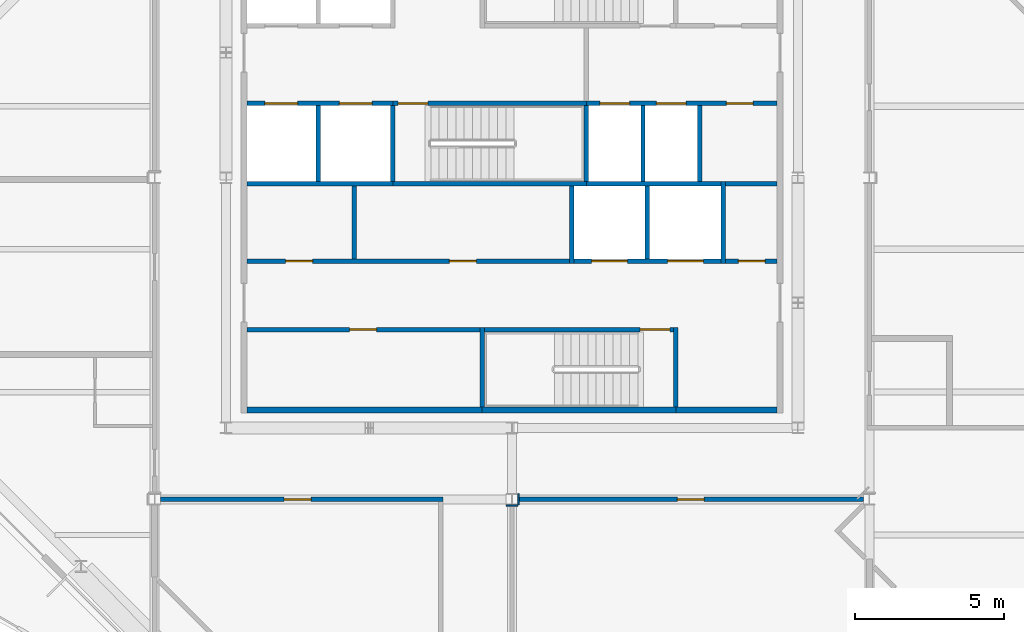
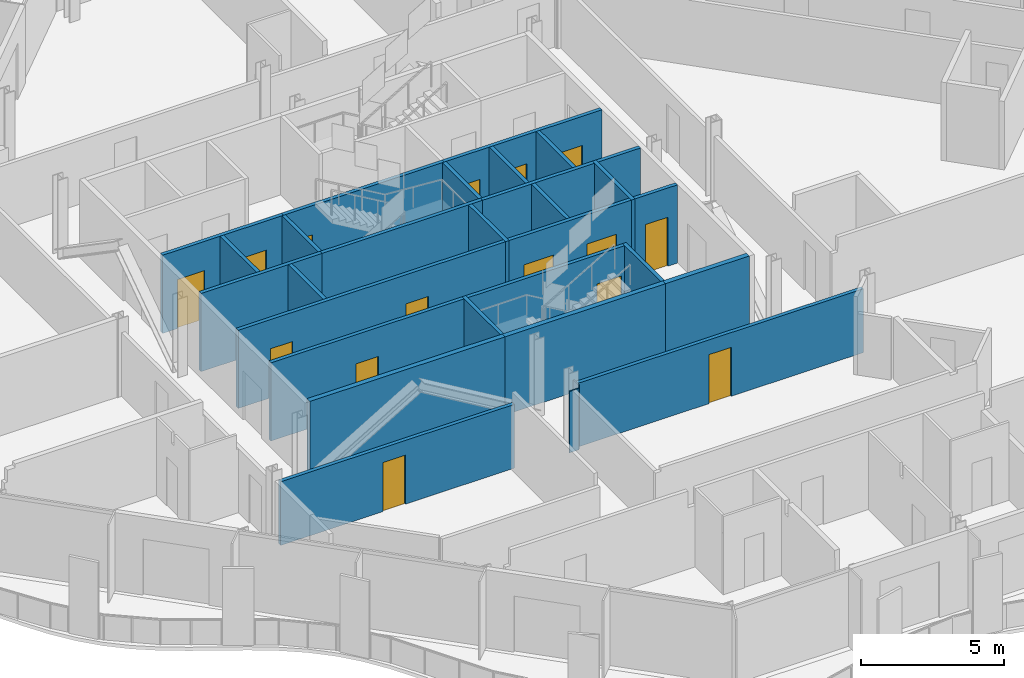
# One storey, part 8 of 17: 30 walls, 15 doors, 15 openings.
"""IFC4 building model written with IfcOpenShell, lengths in metres."""

from ifc_helpers import new_model, si_unit, direction, frame, frame_2d, origin, place, context, subcontext, project, spatial, rectangle, extrude, material, layer, layer_set, type_object, element, fill, save


model = new_model("IFC4")

# Units and contexts
model_context = context("Model", 3, precision=1e-05, world=origin(), true_north=direction((0.0, 1.0)))
body_context = subcontext(model_context, "Body", "Model", "MODEL_VIEW")
ifc_project = project(units=[si_unit("LENGTHUNIT", "METRE"), si_unit("AREAUNIT", "SQUARE_METRE"), si_unit("VOLUMEUNIT", "CUBIC_METRE"), si_unit("PLANEANGLEUNIT", "RADIAN"), si_unit("MASSUNIT", "GRAM", prefix="KILO")], contexts=[model_context])

# Site, building, storey
site_placement = place(None, origin())
site = spatial("IfcSite", under=ifc_project, at=site_placement, CompositionType="ELEMENT")
building_placement = place(site_placement, origin())
building = spatial("IfcBuilding", under=site, at=building_placement, Name="Cairn Pilgrim Tower", CompositionType="ELEMENT")
storey_placement = place(building_placement, frame((0.0, 0.0, 257.39990234375)))
storey = spatial("IfcBuildingStorey", under=building, at=storey_placement, Name="L66", CompositionType="ELEMENT", Elevation=257.39990234375)

# Walls
ifc_material_1 = material(Name="Concrete C32/40", Category="concrete")
ifc_layer_1 = layer(ifc_material_1, 0.199951171875)
ifc_layer_set_1 = layer_set([ifc_layer_1], Name="CORE OUTER WALL 200 EI 120")
wall_type_1 = type_object("IfcWallType", Name="CORE OUTER WALL 200 EI 120", PredefinedType="SOLIDWALL", material=ifc_layer_set_1)
wall_1_placement = place(storey_placement, frame((-1.699951171875, -5.39990234375, 0.0), z_axis=(0.0, 0.0, 1.0), x_axis=(1.0, 0.0, 0.0)))
element("IfcWall", 1, at=wall_1_placement, inside=storey, type_object=wall_type_1, Name="CW:L66:H01-1", PredefinedType="SOLIDWALL", context=body_context, shape_type="SweptSolid", body=[
    extrude(rectangle(XDim=7.89990234375, YDim=0.199951171875, at=frame_2d((3.949951171875, 0.0))), origin(), (0.0, 0.0, 1.0), 3.35009765625),
])
wall_2_placement = place(storey_placement, frame((12.699951171875, -5.39990234375, 0.0), z_axis=(0.0, 0.0, 1.0), x_axis=(1.0, 0.0, 0.0)))
element("IfcWall", 2, at=wall_2_placement, inside=storey, type_object=wall_type_1, Name="CW:L66:H01-3", PredefinedType="SOLIDWALL", context=body_context, shape_type="SweptSolid", body=[
    extrude(rectangle(XDim=3.400146484375, YDim=0.199951171875, at=frame_2d((1.7001953125, 0.0))), origin(), (0.0, 0.0, 1.0), 3.35009765625),
])

# Wall, opening, door
ifc_layer_2 = layer(ifc_material_1, 0.14990234375)
ifc_layer_set_2 = layer_set([ifc_layer_2], Name="CORE PARTITION 150 EI 60")
wall_type_2 = type_object("IfcWallType", Name="CORE PARTITION 150 EI 60", PredefinedType="PARTITIONING", material=ifc_layer_set_2)
wall_3_placement = place(storey_placement, frame((-1.699951171875, -2.699951171875, 0.0), z_axis=(0.0, 0.0, 1.0), x_axis=(1.0, 0.0, 0.0)))
wall_3 = element("IfcWall", 3, at=wall_3_placement, inside=storey, type_object=wall_type_2, Name="CW:L66:H02", PredefinedType="PARTITIONING", context=body_context, shape_type="SweptSolid", body=[
    extrude(rectangle(XDim=7.824951171875, YDim=0.14990234375, at=frame_2d((3.91259765625, 0.0))), origin(), (0.0, 0.0, 1.0), 3.35009765625),
])
opening_1_placement = place(wall_3_placement, frame((3.449951171875, 0.0, 0.0)))
opening_1 = element("IfcOpeningElement", 4, at=opening_1_placement, cuts=wall_3, Name="Opening RD-R1W1", PredefinedType="OPENING", context=body_context, shape_type="SweptSolid", body=[
    extrude(rectangle(XDim=0.89990234375, YDim=2.10009765625, at=frame_2d((0.449951171875, 1.050048828125))), frame((0.0, 0.0849609375, 0.0), z_axis=(0.0, -1.0, 0.0), x_axis=(1.0, 0.0, 0.0)), (0.0, 0.0, 1.0), 0.169921875),
])
ifc_material_2 = material(Name="Painted steel", Category="steel")
door_type_1 = type_object("IfcDoorType", Name="SERVICE ROOM DOOR 900x2100", OperationType="SINGLE_SWING_LEFT", PredefinedType="DOOR", material=ifc_material_2)
door_1_placement = place(opening_1_placement, origin())
door_1 = element("IfcDoor", 5, at=door_1_placement, inside=storey, type_object=door_type_1, Name="RD-R1W1", OperationType="SINGLE_SWING_LEFT", OverallHeight=2.10009765625, OverallWidth=0.89990234375, PredefinedType="DOOR", context=body_context, shape_type="SweptSolid", body=[
    extrude(rectangle(XDim=0.89990234375, YDim=2.10009765625, at=frame_2d((0.449951171875, 1.050048828125))), frame((0.0, 0.02490234375, 0.0), z_axis=(0.0, -1.0, 0.0), x_axis=(1.0, 0.0, 0.0)), (0.0, 0.0, 1.0), 0.050048828125),
])
fill(opening_1, door_1)

# Wall, openings, doors
wall_4_placement = place(storey_placement, frame((-1.699951171875, -0.39990234375, 0.0), z_axis=(0.0, 0.0, 1.0), x_axis=(1.0, 0.0, 0.0)))
wall_4 = element("IfcWall", 6, at=wall_4_placement, inside=storey, type_object=wall_type_2, Name="CW:L66:H04", PredefinedType="PARTITIONING", context=body_context, shape_type="SweptSolid", body=[
    extrude(rectangle(XDim=10.824951171875, YDim=0.14990234375, at=frame_2d((5.41259765625, 0.0))), origin(), (0.0, 0.0, 1.0), 3.35009765625),
])
opening_2_placement = place(wall_4_placement, frame((1.300048828125, 0.0, 0.0)))
opening_2 = element("IfcOpeningElement", 7, at=opening_2_placement, cuts=wall_4, Name="Opening RD-R2W1", PredefinedType="OPENING", context=body_context, shape_type="SweptSolid", body=[
    extrude(rectangle(XDim=0.89990234375, YDim=2.10009765625, at=frame_2d((0.449951171875, 1.050048828125))), frame((0.0, 0.0849609375, 0.0), z_axis=(0.0, -1.0, 0.0), x_axis=(1.0, 0.0, 0.0)), (0.0, 0.0, 1.0), 0.169921875),
])
opening_3_placement = place(wall_4_placement, frame((6.800048828125, 0.0, 0.0)))
opening_3 = element("IfcOpeningElement", 8, at=opening_3_placement, cuts=wall_4, Name="Opening RD-R2W2", PredefinedType="OPENING", context=body_context, shape_type="SweptSolid", body=[
    extrude(rectangle(XDim=0.89990234375, YDim=2.10009765625, at=frame_2d((0.449951171875, 1.050048828125))), frame((0.0, 0.0849609375, 0.0), z_axis=(0.0, -1.0, 0.0), x_axis=(1.0, 0.0, 0.0)), (0.0, 0.0, 1.0), 0.169921875),
])
door_2_placement = place(opening_2_placement, origin())
door_2 = element("IfcDoor", 9, at=door_2_placement, inside=storey, type_object=door_type_1, Name="RD-R2W1", OperationType="SINGLE_SWING_RIGHT", OverallHeight=2.10009765625, OverallWidth=0.89990234375, PredefinedType="DOOR", context=body_context, shape_type="SweptSolid", body=[
    extrude(rectangle(XDim=0.89990234375, YDim=2.10009765625, at=frame_2d((0.449951171875, 1.050048828125))), frame((0.0, 0.02490234375, 0.0), z_axis=(0.0, -1.0, 0.0), x_axis=(1.0, 0.0, 0.0)), (0.0, 0.0, 1.0), 0.050048828125),
])
fill(opening_2, door_2)
door_3_placement = place(opening_3_placement, origin())
door_3 = element("IfcDoor", 10, at=door_3_placement, inside=storey, type_object=door_type_1, Name="RD-R2W2", OperationType="SINGLE_SWING_LEFT", OverallHeight=2.10009765625, OverallWidth=0.89990234375, PredefinedType="DOOR", context=body_context, shape_type="SweptSolid", body=[
    extrude(rectangle(XDim=0.89990234375, YDim=2.10009765625, at=frame_2d((0.449951171875, 1.050048828125))), frame((0.0, 0.02490234375, 0.0), z_axis=(0.0, -1.0, 0.0), x_axis=(1.0, 0.0, 0.0)), (0.0, 0.0, 1.0), 0.050048828125),
])
fill(opening_3, door_3)

# Wall, opening, door
wall_5_placement = place(storey_placement, frame((14.375, -0.39990234375, 0.0), z_axis=(0.0, 0.0, 1.0), x_axis=(1.0, 0.0, 0.0)))
wall_5 = element("IfcWall", 11, at=wall_5_placement, inside=storey, type_object=wall_type_2, Name="CW:L66:H06", PredefinedType="PARTITIONING", context=body_context, shape_type="SweptSolid", body=[
    extrude(rectangle(XDim=1.72509765625, YDim=0.14990234375, at=frame_2d((0.862548828125, 0.0))), origin(), (0.0, 0.0, 1.0), 3.35009765625),
])
opening_4_placement = place(wall_5_placement, frame((0.425048828125, 0.0, 0.0)))
opening_4 = element("IfcOpeningElement", 12, at=opening_4_placement, cuts=wall_5, Name="Opening RD-R2E", PredefinedType="OPENING", context=body_context, shape_type="SweptSolid", body=[
    extrude(rectangle(XDim=0.89990234375, YDim=2.10009765625, at=frame_2d((0.449951171875, 1.050048828125))), frame((0.0, 0.0849609375, 0.0), z_axis=(0.0, -1.0, 0.0), x_axis=(1.0, 0.0, 0.0)), (0.0, 0.0, 1.0), 0.169921875),
])
door_4_placement = place(opening_4_placement, origin())
door_4 = element("IfcDoor", 13, at=door_4_placement, inside=storey, type_object=door_type_1, Name="RD-R2E", OperationType="SINGLE_SWING_RIGHT", OverallHeight=2.10009765625, OverallWidth=0.89990234375, PredefinedType="DOOR", context=body_context, shape_type="SweptSolid", body=[
    extrude(rectangle(XDim=0.89990234375, YDim=2.10009765625, at=frame_2d((0.449951171875, 1.050048828125))), frame((0.0, 0.02490234375, 0.0), z_axis=(0.0, -1.0, 0.0), x_axis=(1.0, 0.0, 0.0)), (0.0, 0.0, 1.0), 0.050048828125),
])
fill(opening_4, door_4)

# Walls
wall_6_placement = place(storey_placement, frame((14.375, 2.199951171875, 0.0), z_axis=(0.0, 0.0, 1.0), x_axis=(1.0, 0.0, 0.0)))
element("IfcWall", 14, at=wall_6_placement, inside=storey, type_object=wall_type_2, Name="CW:L66:H08", PredefinedType="PARTITIONING", context=body_context, shape_type="SweptSolid", body=[
    extrude(rectangle(XDim=1.72509765625, YDim=0.14990234375, at=frame_2d((0.862548828125, 0.0))), origin(), (0.0, 0.0, 1.0), 3.35009765625),
])
wall_7_placement = place(storey_placement, frame((1.89990234375, -0.324951171875, 0.0), z_axis=(0.0, 0.0, 1.0), x_axis=(0.0, 1.0, 0.0)))
element("IfcWall", 15, at=wall_7_placement, inside=storey, type_object=wall_type_2, Name="CW:L66:V16", PredefinedType="PARTITIONING", context=body_context, shape_type="SweptSolid", body=[
    extrude(rectangle(XDim=2.449951171875, YDim=0.14990234375, at=frame_2d((1.22509765625, 0.0))), origin(), (0.0, 0.0, 1.0), 3.35009765625),
])

# Wall, openings, doors
ifc_layer_3 = layer(ifc_material_1, 0.14990234375)
ifc_layer_set_3 = layer_set([ifc_layer_3], Name="CORE SHAFT WALL 150 EI 120")
wall_type_3 = type_object("IfcWallType", Name="CORE SHAFT WALL 150 EI 120", PredefinedType="SOLIDWALL", material=ifc_layer_set_3)
wall_8_placement = place(storey_placement, frame((9.27490234375, -0.39990234375, 0.0), z_axis=(0.0, 0.0, 1.0), x_axis=(1.0, 0.0, 0.0)))
wall_8 = element("IfcWall", 16, at=wall_8_placement, inside=storey, type_object=wall_type_3, Name="CW:L66:H05", PredefinedType="SOLIDWALL", context=body_context, shape_type="SweptSolid", body=[
    extrude(rectangle(XDim=4.9501953125, YDim=0.14990234375, at=frame_2d((2.47509765625, 0.0))), origin(), (0.0, 0.0, 1.0), 3.35009765625),
])
opening_5_placement = place(wall_8_placement, frame((0.60009765625, 0.0, 0.0)))
opening_5 = element("IfcOpeningElement", 17, at=opening_5_placement, cuts=wall_8, Name="Opening LD-SV1", PredefinedType="OPENING", context=body_context, shape_type="SweptSolid", body=[
    extrude(rectangle(XDim=1.199951171875, YDim=2.10009765625, at=frame_2d((0.60009765625, 1.050048828125))), frame((0.0, 0.0849609375, 0.0), z_axis=(0.0, -1.0, 0.0), x_axis=(1.0, 0.0, 0.0)), (0.0, 0.0, 1.0), 0.169921875),
])
opening_6_placement = place(wall_8_placement, frame((3.14990234375, 0.0, 0.0)))
opening_6 = element("IfcOpeningElement", 18, at=opening_6_placement, cuts=wall_8, Name="Opening LD-SV2", PredefinedType="OPENING", context=body_context, shape_type="SweptSolid", body=[
    extrude(rectangle(XDim=1.199951171875, YDim=2.10009765625, at=frame_2d((0.60009765625, 1.050048828125))), frame((0.0, 0.0849609375, 0.0), z_axis=(0.0, -1.0, 0.0), x_axis=(1.0, 0.0, 0.0)), (0.0, 0.0, 1.0), 0.169921875),
])
ifc_material_3 = material(Name="Stainless steel", Category="steel")
door_type_2 = type_object("IfcDoorType", Name="LIFT LANDING DOOR 1200x2100", OperationType="DOUBLE_DOOR_SLIDING", PredefinedType="DOOR", material=ifc_material_3)
door_5_placement = place(opening_5_placement, origin())
door_5 = element("IfcDoor", 19, at=door_5_placement, inside=storey, type_object=door_type_2, Name="LANDING DOOR SV1", OperationType="DOUBLE_DOOR_SLIDING", OverallHeight=2.10009765625, OverallWidth=1.199951171875, PredefinedType="DOOR", context=body_context, shape_type="SweptSolid", body=[
    extrude(rectangle(XDim=1.199951171875, YDim=2.10009765625, at=frame_2d((0.60009765625, 1.050048828125))), frame((0.0, 0.02490234375, 0.0), z_axis=(0.0, -1.0, 0.0), x_axis=(1.0, 0.0, 0.0)), (0.0, 0.0, 1.0), 0.050048828125),
])
fill(opening_5, door_5)
door_6_placement = place(opening_6_placement, origin())
door_6 = element("IfcDoor", 20, at=door_6_placement, inside=storey, type_object=door_type_2, Name="LANDING DOOR SV2", OperationType="DOUBLE_DOOR_SLIDING", OverallHeight=2.10009765625, OverallWidth=1.199951171875, PredefinedType="DOOR", context=body_context, shape_type="SweptSolid", body=[
    extrude(rectangle(XDim=1.199951171875, YDim=2.10009765625, at=frame_2d((0.60009765625, 1.050048828125))), frame((0.0, 0.02490234375, 0.0), z_axis=(0.0, -1.0, 0.0), x_axis=(1.0, 0.0, 0.0)), (0.0, 0.0, 1.0), 0.050048828125),
])
fill(opening_6, door_6)

# Walls
wall_9_placement = place(storey_placement, frame((-1.699951171875, 2.199951171875, 0.0), z_axis=(0.0, 0.0, 1.0), x_axis=(1.0, 0.0, 0.0)))
element("IfcWall", 21, at=wall_9_placement, inside=storey, type_object=wall_type_3, Name="CW:L66:H07-1", PredefinedType="SOLIDWALL", context=body_context, shape_type="SweptSolid", body=[
    extrude(rectangle(XDim=4.89990234375, YDim=0.14990234375, at=frame_2d((2.449951171875, 0.0))), origin(), (0.0, 0.0, 1.0), 3.35009765625),
])
wall_10_placement = place(storey_placement, frame((9.699951171875, 2.199951171875, 0.0), z_axis=(0.0, 0.0, 1.0), x_axis=(1.0, 0.0, 0.0)))
element("IfcWall", 22, at=wall_10_placement, inside=storey, type_object=wall_type_3, Name="CW:L66:H07-3", PredefinedType="SOLIDWALL", context=body_context, shape_type="SweptSolid", body=[
    extrude(rectangle(XDim=4.525146484375, YDim=0.14990234375, at=frame_2d((2.2626953125, 0.0))), origin(), (0.0, 0.0, 1.0), 3.35009765625),
])

# Wall, openings, doors
wall_11_placement = place(storey_placement, frame((-1.699951171875, 4.89990234375, 0.0), z_axis=(0.0, 0.0, 1.0), x_axis=(1.0, 0.0, 0.0)))
wall_11 = element("IfcWall", 23, at=wall_11_placement, inside=storey, type_object=wall_type_3, Name="CW:L66:H09-1", PredefinedType="SOLIDWALL", context=body_context, shape_type="SweptSolid", body=[
    extrude(rectangle(XDim=4.89990234375, YDim=0.14990234375, at=frame_2d((2.449951171875, 0.0))), origin(), (0.0, 0.0, 1.0), 3.35009765625),
])
opening_7_placement = place(wall_11_placement, frame((0.60009765625, 0.0, 0.0)))
opening_7 = element("IfcOpeningElement", 24, at=opening_7_placement, cuts=wall_11, Name="Opening LD-HR1", PredefinedType="OPENING", context=body_context, shape_type="SweptSolid", body=[
    extrude(rectangle(XDim=1.10009765625, YDim=2.10009765625, at=frame_2d((0.550048828125, 1.050048828125))), frame((0.0, 0.0849609375, 0.0), z_axis=(0.0, -1.0, 0.0), x_axis=(1.0, 0.0, 0.0)), (0.0, 0.0, 1.0), 0.169921875),
])
opening_8_placement = place(wall_11_placement, frame((3.10009765625, 0.0, 0.0)))
opening_8 = element("IfcOpeningElement", 25, at=opening_8_placement, cuts=wall_11, Name="Opening LD-HR2", PredefinedType="OPENING", context=body_context, shape_type="SweptSolid", body=[
    extrude(rectangle(XDim=1.10009765625, YDim=2.10009765625, at=frame_2d((0.550048828125, 1.050048828125))), frame((0.0, 0.0849609375, 0.0), z_axis=(0.0, -1.0, 0.0), x_axis=(1.0, 0.0, 0.0)), (0.0, 0.0, 1.0), 0.169921875),
])
door_type_3 = type_object("IfcDoorType", Name="LIFT LANDING DOOR 1100x2100", OperationType="DOUBLE_DOOR_SLIDING", PredefinedType="DOOR", material=ifc_material_3)
door_7_placement = place(opening_7_placement, origin())
door_7 = element("IfcDoor", 26, at=door_7_placement, inside=storey, type_object=door_type_3, Name="LANDING DOOR HR1", OperationType="DOUBLE_DOOR_SLIDING", OverallHeight=2.10009765625, OverallWidth=1.10009765625, PredefinedType="DOOR", context=body_context, shape_type="SweptSolid", body=[
    extrude(rectangle(XDim=1.10009765625, YDim=2.10009765625, at=frame_2d((0.550048828125, 1.050048828125))), frame((0.0, 0.02490234375, 0.0), z_axis=(0.0, -1.0, 0.0), x_axis=(1.0, 0.0, 0.0)), (0.0, 0.0, 1.0), 0.050048828125),
])
fill(opening_7, door_7)
door_8_placement = place(opening_8_placement, origin())
door_8 = element("IfcDoor", 27, at=door_8_placement, inside=storey, type_object=door_type_3, Name="LANDING DOOR HR2", OperationType="DOUBLE_DOOR_SLIDING", OverallHeight=2.10009765625, OverallWidth=1.10009765625, PredefinedType="DOOR", context=body_context, shape_type="SweptSolid", body=[
    extrude(rectangle(XDim=1.10009765625, YDim=2.10009765625, at=frame_2d((0.550048828125, 1.050048828125))), frame((0.0, 0.02490234375, 0.0), z_axis=(0.0, -1.0, 0.0), x_axis=(1.0, 0.0, 0.0)), (0.0, 0.0, 1.0), 0.050048828125),
])
fill(opening_8, door_8)

wall_12_placement = place(storey_placement, frame((9.699951171875, 4.89990234375, 0.0), z_axis=(0.0, 0.0, 1.0), x_axis=(1.0, 0.0, 0.0)))
wall_12 = element("IfcWall", 28, at=wall_12_placement, inside=storey, type_object=wall_type_3, Name="CW:L66:H09-3", PredefinedType="SOLIDWALL", context=body_context, shape_type="SweptSolid", body=[
    extrude(rectangle(XDim=6.400146484375, YDim=0.14990234375, at=frame_2d((3.2001953125, 0.0))), origin(), (0.0, 0.0, 1.0), 3.35009765625),
])
opening_9_placement = place(wall_12_placement, frame((0.449951171875, 0.0, 0.0)))
opening_9 = element("IfcOpeningElement", 29, at=opening_9_placement, cuts=wall_12, Name="Opening LD-FF1", PredefinedType="OPENING", context=body_context, shape_type="SweptSolid", body=[
    extrude(rectangle(XDim=1.0, YDim=2.10009765625, at=frame_2d((0.5, 1.050048828125))), frame((0.0, 0.0849609375, 0.0), z_axis=(0.0, -1.0, 0.0), x_axis=(1.0, 0.0, 0.0)), (0.0, 0.0, 1.0), 0.169921875),
])
opening_10_placement = place(wall_12_placement, frame((2.35009765625, 0.0, 0.0)))
opening_10 = element("IfcOpeningElement", 30, at=opening_10_placement, cuts=wall_12, Name="Opening LD-FF2", PredefinedType="OPENING", context=body_context, shape_type="SweptSolid", body=[
    extrude(rectangle(XDim=1.0, YDim=2.10009765625, at=frame_2d((0.5, 1.050048828125))), frame((0.0, 0.0849609375, 0.0), z_axis=(0.0, -1.0, 0.0), x_axis=(1.0, 0.0, 0.0)), (0.0, 0.0, 1.0), 0.169921875),
])
opening_11_placement = place(wall_12_placement, frame((4.699951171875, 0.0, 0.0)))
opening_11 = element("IfcOpeningElement", 31, at=opening_11_placement, cuts=wall_12, Name="Opening RD-R3E", PredefinedType="OPENING", context=body_context, shape_type="SweptSolid", body=[
    extrude(rectangle(XDim=0.89990234375, YDim=2.10009765625, at=frame_2d((0.449951171875, 1.050048828125))), frame((0.0, 0.0849609375, 0.0), z_axis=(0.0, -1.0, 0.0), x_axis=(1.0, 0.0, 0.0)), (0.0, 0.0, 1.0), 0.169921875),
])
door_type_4 = type_object("IfcDoorType", Name="LIFT LANDING DOOR FIRE 1000x2100", OperationType="DOUBLE_DOOR_SLIDING", PredefinedType="DOOR", material=ifc_material_3)
door_9_placement = place(opening_9_placement, origin())
door_9 = element("IfcDoor", 32, at=door_9_placement, inside=storey, type_object=door_type_4, Name="LANDING DOOR FF1", OperationType="DOUBLE_DOOR_SLIDING", OverallHeight=2.10009765625, OverallWidth=1.0, PredefinedType="DOOR", context=body_context, shape_type="SweptSolid", body=[
    extrude(rectangle(XDim=1.0, YDim=2.10009765625, at=frame_2d((0.5, 1.050048828125))), frame((0.0, 0.02490234375, 0.0), z_axis=(0.0, -1.0, 0.0), x_axis=(1.0, 0.0, 0.0)), (0.0, 0.0, 1.0), 0.050048828125),
])
fill(opening_9, door_9)
door_10_placement = place(opening_10_placement, origin())
door_10 = element("IfcDoor", 33, at=door_10_placement, inside=storey, type_object=door_type_4, Name="LANDING DOOR FF2", OperationType="DOUBLE_DOOR_SLIDING", OverallHeight=2.10009765625, OverallWidth=1.0, PredefinedType="DOOR", context=body_context, shape_type="SweptSolid", body=[
    extrude(rectangle(XDim=1.0, YDim=2.10009765625, at=frame_2d((0.5, 1.050048828125))), frame((0.0, 0.02490234375, 0.0), z_axis=(0.0, -1.0, 0.0), x_axis=(1.0, 0.0, 0.0)), (0.0, 0.0, 1.0), 0.050048828125),
])
fill(opening_10, door_10)
door_11_placement = place(opening_11_placement, origin())
door_11 = element("IfcDoor", 34, at=door_11_placement, inside=storey, type_object=door_type_1, Name="RD-R3E", OperationType="SINGLE_SWING_LEFT", OverallHeight=2.10009765625, OverallWidth=0.89990234375, PredefinedType="DOOR", context=body_context, shape_type="SweptSolid", body=[
    extrude(rectangle(XDim=0.89990234375, YDim=2.10009765625, at=frame_2d((0.449951171875, 1.050048828125))), frame((0.0, 0.02490234375, 0.0), z_axis=(0.0, -1.0, 0.0), x_axis=(1.0, 0.0, 0.0)), (0.0, 0.0, 1.0), 0.050048828125),
])
fill(opening_11, door_11)

# Walls
wall_13_placement = place(storey_placement, frame((0.699951171875, 2.27490234375, 0.0), z_axis=(0.0, 0.0, 1.0), x_axis=(0.0, 1.0, 0.0)))
element("IfcWall", 35, at=wall_13_placement, inside=storey, type_object=wall_type_3, Name="CW:L66:V14", PredefinedType="SOLIDWALL", context=body_context, shape_type="SweptSolid", body=[
    extrude(rectangle(XDim=2.550048828125, YDim=0.14990234375, at=frame_2d((1.27490234375, 0.0))), origin(), (0.0, 0.0, 1.0), 3.35009765625),
])
wall_14_placement = place(storey_placement, frame((9.199951171875, -0.47509765625, 0.0), z_axis=(0.0, 0.0, 1.0), x_axis=(0.0, 1.0, 0.0)))
element("IfcWall", 36, at=wall_14_placement, inside=storey, type_object=wall_type_3, Name="CW:L66:V21", PredefinedType="SOLIDWALL", context=body_context, shape_type="SweptSolid", body=[
    extrude(rectangle(XDim=2.60009765625, YDim=0.14990234375, at=frame_2d((1.300048828125, 0.0))), origin(), (0.0, 0.0, 1.0), 3.35009765625),
])
wall_15_placement = place(storey_placement, frame((11.60009765625, 2.27490234375, 0.0), z_axis=(0.0, 0.0, 1.0), x_axis=(0.0, 1.0, 0.0)))
element("IfcWall", 37, at=wall_15_placement, inside=storey, type_object=wall_type_3, Name="CW:L66:V24", PredefinedType="SOLIDWALL", context=body_context, shape_type="SweptSolid", body=[
    extrude(rectangle(XDim=2.550048828125, YDim=0.14990234375, at=frame_2d((1.27490234375, 0.0))), origin(), (0.0, 0.0, 1.0), 3.35009765625),
])
wall_16_placement = place(storey_placement, frame((11.75, -0.324951171875, 0.0), z_axis=(0.0, 0.0, 1.0), x_axis=(0.0, 1.0, 0.0)))
element("IfcWall", 38, at=wall_16_placement, inside=storey, type_object=wall_type_3, Name="CW:L66:V25", PredefinedType="SOLIDWALL", context=body_context, shape_type="SweptSolid", body=[
    extrude(rectangle(XDim=2.449951171875, YDim=0.14990234375, at=frame_2d((1.22509765625, 0.0))), origin(), (0.0, 0.0, 1.0), 3.35009765625),
])
wall_17_placement = place(storey_placement, frame((13.5, 2.27490234375, 0.0), z_axis=(0.0, 0.0, 1.0), x_axis=(0.0, 1.0, 0.0)))
element("IfcWall", 39, at=wall_17_placement, inside=storey, type_object=wall_type_3, Name="CW:L66:V28", PredefinedType="SOLIDWALL", context=body_context, shape_type="SweptSolid", body=[
    extrude(rectangle(XDim=2.550048828125, YDim=0.14990234375, at=frame_2d((1.27490234375, 0.0))), origin(), (0.0, 0.0, 1.0), 3.35009765625),
])
wall_18_placement = place(storey_placement, frame((14.300048828125, -0.47509765625, 0.0), z_axis=(0.0, 0.0, 1.0), x_axis=(0.0, 1.0, 0.0)))
element("IfcWall", 40, at=wall_18_placement, inside=storey, type_object=wall_type_3, Name="CW:L66:V29", PredefinedType="SOLIDWALL", context=body_context, shape_type="SweptSolid", body=[
    extrude(rectangle(XDim=2.75, YDim=0.14990234375, at=frame_2d((1.375, 0.0))), origin(), (0.0, 0.0, 1.0), 3.35009765625),
])

# Wall, opening, door
ifc_material_4 = material(Name="Gypsum partition")
ifc_layer_4 = layer(ifc_material_4, 0.14990234375)
ifc_layer_set_4 = layer_set([ifc_layer_4], Name="PARTITION 150 DRYWALL EI 60")
wall_type_4 = type_object("IfcWallType", Name="PARTITION 150 DRYWALL EI 60", PredefinedType="PARTITIONING", material=ifc_layer_set_4)
wall_19_placement = place(storey_placement, frame((-4.60302734375, -8.39990234375, 0.0), z_axis=(0.0, 0.0, 1.0), x_axis=(1.0, 0.0, 0.0)))
wall_19 = element("IfcWall", 41, at=wall_19_placement, inside=storey, type_object=wall_type_4, Name="PARTITION W032", PredefinedType="PARTITIONING", context=body_context, shape_type="SweptSolid", body=[
    extrude(rectangle(XDim=9.47802734375, YDim=0.14990234375, at=frame_2d((4.739013671875, 0.0))), origin(), (0.0, 0.0, 1.0), 2.72998046875),
])
opening_12_placement = place(wall_19_placement, frame((4.153076171875, 0.0, 0.0)))
opening_12 = element("IfcOpeningElement", 42, at=opening_12_placement, cuts=wall_19, Name="Opening 6620", PredefinedType="OPENING", context=body_context, shape_type="SweptSolid", body=[
    extrude(rectangle(XDim=0.89990234375, YDim=2.10009765625, at=frame_2d((0.449951171875, 1.050048828125))), frame((0.0, 0.0849609375, 0.0), z_axis=(0.0, -1.0, 0.0), x_axis=(1.0, 0.0, 0.0)), (0.0, 0.0, 1.0), 0.169921875),
])
ifc_material_5 = material(Name="Timber door leaf", Category="wood")
door_type_5 = type_object("IfcDoorType", Name="SERVICE DOOR 900x2100 FD30S", OperationType="NOTDEFINED", PredefinedType="DOOR", material=ifc_material_5)
door_12_placement = place(opening_12_placement, frame((0.89990234375, 0.0, 0.0), z_axis=(0.0, 0.0, 1.0), x_axis=(-1.0, 0.0, 0.0)))
door_12 = element("IfcDoor", 43, at=door_12_placement, inside=storey, type_object=door_type_5, Name="DOOR 6620", OperationType="SINGLE_SWING_RIGHT", OverallHeight=2.10009765625, OverallWidth=0.89990234375, PredefinedType="DOOR", context=body_context, shape_type="SweptSolid", body=[
    extrude(rectangle(XDim=0.89990234375, YDim=2.10009765625, at=frame_2d((0.449951171875, 1.050048828125))), frame((0.0, 0.02490234375, 0.0), z_axis=(0.0, -1.0, 0.0), x_axis=(1.0, 0.0, 0.0)), (0.0, 0.0, 1.0), 0.050048828125),
])
fill(opening_12, door_12)

wall_20_placement = place(storey_placement, frame((7.39697265625, -8.39990234375, 0.0), z_axis=(0.0, 0.0, 1.0), x_axis=(1.0, 0.0, 0.0)))
wall_20 = element("IfcWall", 44, at=wall_20_placement, inside=storey, type_object=wall_type_4, Name="PARTITION W033", PredefinedType="PARTITIONING", context=body_context, shape_type="SweptSolid", body=[
    extrude(rectangle(XDim=11.60595703125, YDim=0.14990234375, at=frame_2d((5.802978515625, 0.0))), origin(), (0.0, 0.0, 1.0), 2.72998046875),
])
opening_13_placement = place(wall_20_placement, frame((5.35302734375, 0.0, 0.0)))
opening_13 = element("IfcOpeningElement", 45, at=opening_13_placement, cuts=wall_20, Name="Opening 6621", PredefinedType="OPENING", context=body_context, shape_type="SweptSolid", body=[
    extrude(rectangle(XDim=0.89990234375, YDim=2.10009765625, at=frame_2d((0.449951171875, 1.050048828125))), frame((0.0, 0.0849609375, 0.0), z_axis=(0.0, -1.0, 0.0), x_axis=(1.0, 0.0, 0.0)), (0.0, 0.0, 1.0), 0.169921875),
])
door_13_placement = place(opening_13_placement, frame((0.89990234375, 0.0, 0.0), z_axis=(0.0, 0.0, 1.0), x_axis=(-1.0, 0.0, 0.0)))
door_13 = element("IfcDoor", 46, at=door_13_placement, inside=storey, type_object=door_type_5, Name="DOOR 6621", OperationType="SINGLE_SWING_RIGHT", OverallHeight=2.10009765625, OverallWidth=0.89990234375, PredefinedType="DOOR", context=body_context, shape_type="SweptSolid", body=[
    extrude(rectangle(XDim=0.89990234375, YDim=2.10009765625, at=frame_2d((0.449951171875, 1.050048828125))), frame((0.0, 0.02490234375, 0.0), z_axis=(0.0, -1.0, 0.0), x_axis=(1.0, 0.0, 0.0)), (0.0, 0.0, 1.0), 0.050048828125),
])
fill(opening_13, door_13)

# Walls
ifc_layer_5 = layer(ifc_material_4, 0.050048828125)
ifc_layer_set_5 = layer_set([ifc_layer_5], Name="PARTITION 50 DRYWALL EI 60")
wall_type_5 = type_object("IfcWallType", Name="PARTITION 50 DRYWALL EI 60", PredefinedType="PARTITIONING", material=ifc_layer_set_5)
wall_21_placement = place(storey_placement, frame((7.422119140625, -8.58740234375, 0.0), z_axis=(0.0, 0.0, 1.0), x_axis=(0.0, 1.0, 0.0)))
element("IfcWall", 47, at=wall_21_placement, inside=storey, type_object=wall_type_5, Name="COLUMN CASING WC04", PredefinedType="PARTITIONING", context=body_context, shape_type="SweptSolid", body=[
    extrude(rectangle(XDim=0.375, YDim=0.050048828125, at=frame_2d((0.1875, 0.0))), origin(), (0.0, 0.0, 1.0), 2.72998046875),
])
wall_22_placement = place(storey_placement, frame((7.0029296875, -8.612548828125, 0.0), z_axis=(0.0, 0.0, 1.0), x_axis=(1.0, 0.0, 0.0)))
element("IfcWall", 48, at=wall_22_placement, inside=storey, type_object=wall_type_5, Name="COLUMN CASING WC12", PredefinedType="PARTITIONING", context=body_context, shape_type="SweptSolid", body=[
    extrude(rectangle(XDim=0.39404296875, YDim=0.050048828125, at=frame_2d((0.197021484375, 0.0))), origin(), (0.0, 0.0, 1.0), 2.630126953125),
])

# Wall, opening, door
ifc_material_6 = material(Name="Concrete C35/45", Category="concrete")
ifc_layer_6 = layer(ifc_material_6, 0.14990234375)
ifc_layer_set_6 = layer_set([ifc_layer_6], Name="STAIR SHAFT WALL 150 EI 120")
wall_type_6 = type_object("IfcWallType", Name="STAIR SHAFT WALL 150 EI 120", PredefinedType="SOLIDWALL", material=ifc_layer_set_6)
wall_23_placement = place(storey_placement, frame((6.27490234375, -2.699951171875, 0.0), z_axis=(0.0, 0.0, 1.0), x_axis=(1.0, 0.0, 0.0)))
wall_23 = element("IfcWall", 49, at=wall_23_placement, inside=storey, type_object=wall_type_6, Name="CW:L66:H03", PredefinedType="SOLIDWALL", context=body_context, shape_type="SweptSolid", body=[
    extrude(rectangle(XDim=6.35009765625, YDim=0.14990234375, at=frame_2d((3.175048828125, 0.0))), origin(), (0.0, 0.0, 1.0), 3.35009765625),
])
opening_14_placement = place(wall_23_placement, frame((5.22509765625, 0.0, 0.0)))
opening_14 = element("IfcOpeningElement", 50, at=opening_14_placement, cuts=wall_23, Name="Opening SD-A", PredefinedType="OPENING", context=body_context, shape_type="SweptSolid", body=[
    extrude(rectangle(XDim=1.0, YDim=2.10009765625, at=frame_2d((0.5, 1.050048828125))), frame((0.0, 0.0849609375, 0.0), z_axis=(0.0, -1.0, 0.0), x_axis=(1.0, 0.0, 0.0)), (0.0, 0.0, 1.0), 0.169921875),
])
door_type_6 = type_object("IfcDoorType", Name="STAIR DOOR FD60S 1000x2100", OperationType="SINGLE_SWING_LEFT", PredefinedType="DOOR", material=ifc_material_2)
door_14_placement = place(opening_14_placement, origin())
door_14 = element("IfcDoor", 51, at=door_14_placement, inside=storey, type_object=door_type_6, Name="SD-A", OperationType="SINGLE_SWING_LEFT", OverallHeight=2.10009765625, OverallWidth=1.0, PredefinedType="DOOR", context=body_context, shape_type="SweptSolid", body=[
    extrude(rectangle(XDim=1.0, YDim=2.10009765625, at=frame_2d((0.5, 1.050048828125))), frame((0.0, 0.02490234375, 0.0), z_axis=(0.0, -1.0, 0.0), x_axis=(1.0, 0.0, 0.0)), (0.0, 0.0, 1.0), 0.050048828125),
])
fill(opening_14, door_14)

# Wall
wall_24_placement = place(storey_placement, frame((3.199951171875, 2.199951171875, 0.0), z_axis=(0.0, 0.0, 1.0), x_axis=(1.0, 0.0, 0.0)))
element("IfcWall", 52, at=wall_24_placement, inside=storey, type_object=wall_type_6, Name="CW:L66:H07-2", PredefinedType="SOLIDWALL", context=body_context, shape_type="SweptSolid", body=[
    extrude(rectangle(XDim=6.5, YDim=0.14990234375, at=frame_2d((3.25, 0.0))), origin(), (0.0, 0.0, 1.0), 3.35009765625),
])

# Wall, opening, door
wall_25_placement = place(storey_placement, frame((3.199951171875, 4.89990234375, 0.0), z_axis=(0.0, 0.0, 1.0), x_axis=(1.0, 0.0, 0.0)))
wall_25 = element("IfcWall", 53, at=wall_25_placement, inside=storey, type_object=wall_type_6, Name="CW:L66:H09-2", PredefinedType="SOLIDWALL", context=body_context, shape_type="SweptSolid", body=[
    extrude(rectangle(XDim=6.5, YDim=0.14990234375, at=frame_2d((3.25, 0.0))), origin(), (0.0, 0.0, 1.0), 3.35009765625),
])
opening_15_placement = place(wall_25_placement, frame((0.175048828125, 0.0, 0.0)))
opening_15 = element("IfcOpeningElement", 54, at=opening_15_placement, cuts=wall_25, Name="Opening SD-B", PredefinedType="OPENING", context=body_context, shape_type="SweptSolid", body=[
    extrude(rectangle(XDim=1.0, YDim=2.10009765625, at=frame_2d((0.5, 1.050048828125))), frame((0.0, 0.0849609375, 0.0), z_axis=(0.0, -1.0, 0.0), x_axis=(1.0, 0.0, 0.0)), (0.0, 0.0, 1.0), 0.169921875),
])
door_15_placement = place(opening_15_placement, origin())
door_15 = element("IfcDoor", 55, at=door_15_placement, inside=storey, type_object=door_type_6, Name="SD-B", OperationType="SINGLE_SWING_RIGHT", OverallHeight=2.10009765625, OverallWidth=1.0, PredefinedType="DOOR", context=body_context, shape_type="SweptSolid", body=[
    extrude(rectangle(XDim=1.0, YDim=2.10009765625, at=frame_2d((0.5, 1.050048828125))), frame((0.0, 0.02490234375, 0.0), z_axis=(0.0, -1.0, 0.0), x_axis=(1.0, 0.0, 0.0)), (0.0, 0.0, 1.0), 0.050048828125),
])
fill(opening_15, door_15)

# Walls
wall_26_placement = place(storey_placement, frame((3.199951171875, 2.27490234375, 0.0), z_axis=(0.0, 0.0, 1.0), x_axis=(0.0, 1.0, 0.0)))
element("IfcWall", 56, at=wall_26_placement, inside=storey, type_object=wall_type_6, Name="CW:L66:V17", PredefinedType="SOLIDWALL", context=body_context, shape_type="SweptSolid", body=[
    extrude(rectangle(XDim=2.550048828125, YDim=0.14990234375, at=frame_2d((1.27490234375, 0.0))), origin(), (0.0, 0.0, 1.0), 3.35009765625),
])
wall_27_placement = place(storey_placement, frame((6.199951171875, -5.300048828125, 0.0), z_axis=(0.0, 0.0, 1.0), x_axis=(0.0, 1.0, 0.0)))
element("IfcWall", 57, at=wall_27_placement, inside=storey, type_object=wall_type_6, Name="CW:L66:V19", PredefinedType="SOLIDWALL", context=body_context, shape_type="SweptSolid", body=[
    extrude(rectangle(XDim=2.675048828125, YDim=0.14990234375, at=frame_2d((1.33740234375, 0.0))), origin(), (0.0, 0.0, 1.0), 3.35009765625),
])
wall_28_placement = place(storey_placement, frame((9.699951171875, 2.27490234375, 0.0), z_axis=(0.0, 0.0, 1.0), x_axis=(0.0, 1.0, 0.0)))
element("IfcWall", 58, at=wall_28_placement, inside=storey, type_object=wall_type_6, Name="CW:L66:V22", PredefinedType="SOLIDWALL", context=body_context, shape_type="SweptSolid", body=[
    extrude(rectangle(XDim=2.550048828125, YDim=0.14990234375, at=frame_2d((1.27490234375, 0.0))), origin(), (0.0, 0.0, 1.0), 3.35009765625),
])
wall_29_placement = place(storey_placement, frame((12.699951171875, -5.300048828125, 0.0), z_axis=(0.0, 0.0, 1.0), x_axis=(0.0, 1.0, 0.0)))
element("IfcWall", 59, at=wall_29_placement, inside=storey, type_object=wall_type_6, Name="CW:L66:V26", PredefinedType="SOLIDWALL", context=body_context, shape_type="SweptSolid", body=[
    extrude(rectangle(XDim=2.675048828125, YDim=0.14990234375, at=frame_2d((1.33740234375, 0.0))), origin(), (0.0, 0.0, 1.0), 3.35009765625),
])
ifc_layer_7 = layer(ifc_material_6, 0.199951171875)
ifc_layer_set_7 = layer_set([ifc_layer_7], Name="STAIR SHAFT WALL 200 EI 120")
wall_type_7 = type_object("IfcWallType", Name="STAIR SHAFT WALL 200 EI 120", PredefinedType="SOLIDWALL", material=ifc_layer_set_7)
wall_30_placement = place(storey_placement, frame((6.199951171875, -5.39990234375, 0.0), z_axis=(0.0, 0.0, 1.0), x_axis=(1.0, 0.0, 0.0)))
element("IfcWall", 60, at=wall_30_placement, inside=storey, type_object=wall_type_7, Name="CW:L66:H01-2", PredefinedType="SOLIDWALL", context=body_context, shape_type="SweptSolid", body=[
    extrude(rectangle(XDim=6.5, YDim=0.199951171875, at=frame_2d((3.25, 0.0))), origin(), (0.0, 0.0, 1.0), 3.35009765625),
])

save(model, "model.ifc")
